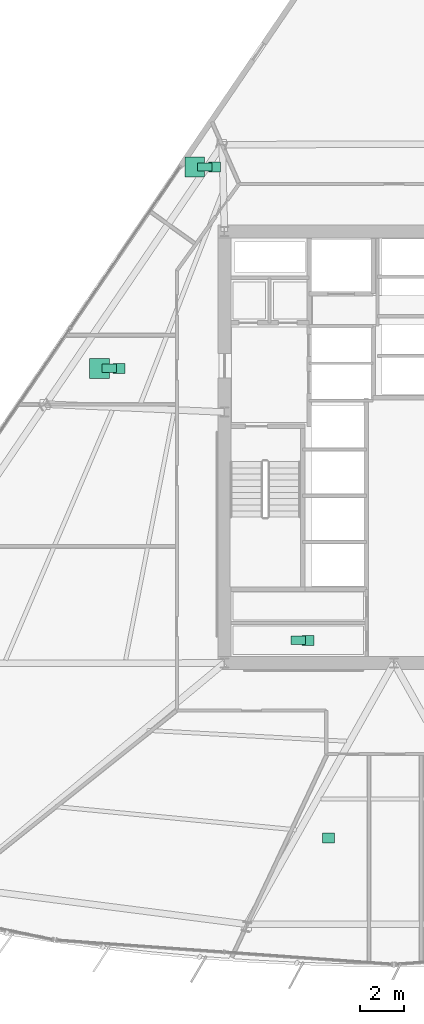
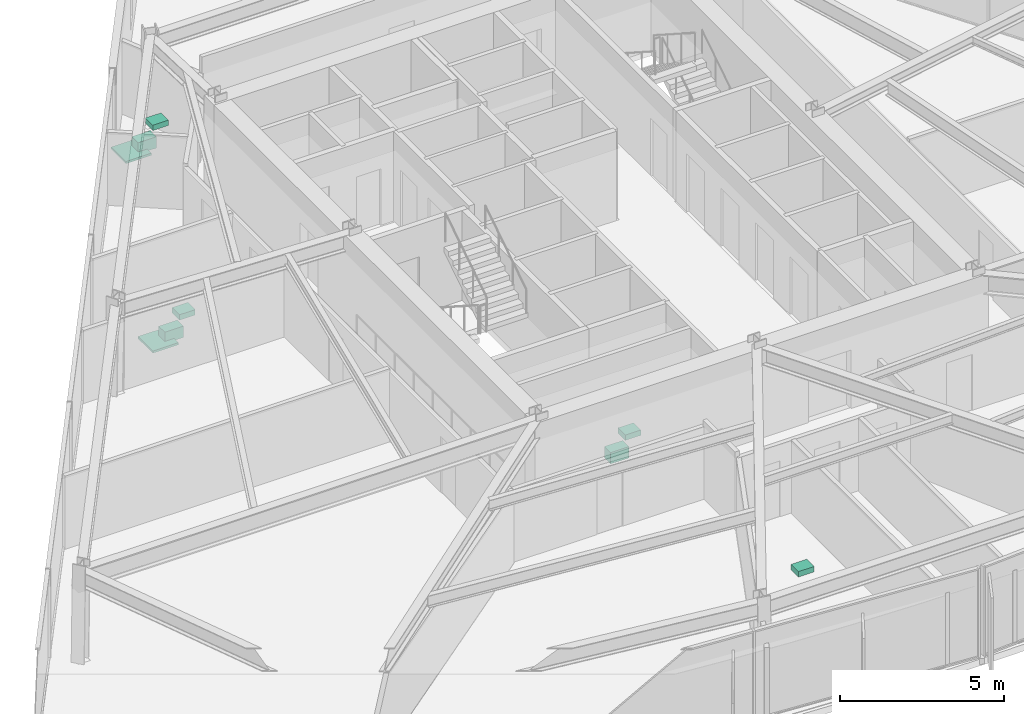
# One storey, part 18 of 18: 9 sanitary terminals.
"""IFC4 building model written with IfcOpenShell, lengths in metres."""

from ifc_helpers import new_model, si_unit, direction, frame, origin, origin_2d, place, context, subcontext, project, spatial, rectangle, extrude, material, type_object, element, save


model = new_model("IFC4")

# Units and contexts
model_context = context("Model", 3, precision=1e-05, world=origin(), true_north=direction((0.0, 1.0)))
body_context = subcontext(model_context, "Body", "Model", "MODEL_VIEW")
ifc_project = project(units=[si_unit("LENGTHUNIT", "METRE"), si_unit("AREAUNIT", "SQUARE_METRE"), si_unit("VOLUMEUNIT", "CUBIC_METRE"), si_unit("PLANEANGLEUNIT", "RADIAN"), si_unit("MASSUNIT", "GRAM", prefix="KILO")], contexts=[model_context])

# Site, building, storey
site_placement = place(None, origin())
site = spatial("IfcSite", under=ifc_project, at=site_placement, CompositionType="ELEMENT")
building_placement = place(site_placement, origin())
building = spatial("IfcBuilding", under=site, at=building_placement, Name="Savorim Split Tower", CompositionType="ELEMENT")
storey_placement = place(building_placement, frame((0.0, 0.0, 44.39990234375)))
storey = spatial("IfcBuildingStorey", under=building, at=storey_placement, Name="L11", CompositionType="ELEMENT", Elevation=44.39990234375)

# Sanitary terminals
ifc_material = material(Name="Vitreous China Sanitaryware")
sanitary_terminal_type_1 = type_object("IfcSanitaryTerminalType", Name="SAN-SHW-900", PredefinedType="SHOWER", material=ifc_material)
for number, where, z_axis, x_axis, name in (
    (1, (-9.048828125, 13.131103515625, 0.0), (0.0, 0.0, 1.0), (1.0, 0.0, 0.0), "L11 Shared Bathroom Shower"),
    (2, (-13.383056640625, 3.985595703125, 0.0), (0.0, 0.0, 1.0), (1.0, 0.0, 0.0), "L11 Shared Bathroom Shower"),
):
    element("IfcSanitaryTerminal", number, at=place(storey_placement, frame(where, z_axis=z_axis, x_axis=x_axis)), inside=storey, type_object=sanitary_terminal_type_1, Name=name, PredefinedType="SHOWER", context=body_context, shape_type="SweptSolid", body=[
        extrude(rectangle(XDim=0.89990234375, YDim=0.89990234375, at=origin_2d()), origin(), (0.0, 0.0, 1.0), 0.080078125),
    ])
sanitary_terminal_type_2 = type_object("IfcSanitaryTerminalType", Name="SAN-WC-PAN", PredefinedType="TOILETPAN", material=ifc_material)
for number, where, z_axis, x_axis, name in (
    (3, (-4.35009765625, -8.3701171875, 0.000244140625), (0.0, 0.0, 1.0), (1.0, 0.0, 0.0), "L11 Public WC WC Pan"),
    (4, (-8.598876953125, 13.131103515625, 0.000244140625), (0.0, 0.0, 1.0), (1.0, 0.0, 0.0), "L11 Shared Bathroom WC Pan"),
    (5, (-12.93310546875, 3.985595703125, 0.000244140625), (0.0, 0.0, 1.0), (1.0, 0.0, 0.0), "L11 Shared Bathroom WC Pan"),
):
    element("IfcSanitaryTerminal", number, at=place(storey_placement, frame(where, z_axis=z_axis, x_axis=x_axis)), inside=storey, type_object=sanitary_terminal_type_2, Name=name, PredefinedType="TOILETPAN", context=body_context, shape_type="SweptSolid", body=[
        extrude(rectangle(XDim=0.64990234375, YDim=0.3798828125, at=origin_2d()), origin(), (0.0, 0.0, 1.0), 0.419921875),
    ])
sanitary_terminal_type_3 = type_object("IfcSanitaryTerminalType", Name="SAN-WHB-550", PredefinedType="WASHHANDBASIN", material=ifc_material)
for number, where, z_axis, x_axis, name in (
    (6, (-3.89990234375, -8.3701171875, 0.72021484375), (0.0, 0.0, 1.0), (1.0, 0.0, 0.0), "L11 Public WC Washhand Basin"),
    (7, (-2.974609375, -17.34423828125, 0.75), (0.0, 0.0, 1.0), (1.0, 0.0, 0.0), "L11 Shared Kitchen Utility Sink"),
    (8, (-8.148681640625, 13.131103515625, 0.72021484375), (0.0, 0.0, 1.0), (1.0, 0.0, 0.0), "L11 Shared Bathroom Washhand Basin"),
    (9, (-12.483154296875, 3.985595703125, 0.72021484375), (0.0, 0.0, 1.0), (1.0, 0.0, 0.0), "L11 Shared Bathroom Washhand Basin"),
):
    element("IfcSanitaryTerminal", number, at=place(storey_placement, frame(where, z_axis=z_axis, x_axis=x_axis)), inside=storey, type_object=sanitary_terminal_type_3, Name=name, PredefinedType="WASHHANDBASIN", context=body_context, shape_type="SweptSolid", body=[
        extrude(rectangle(XDim=0.550048828125, YDim=0.449951171875, at=origin_2d()), origin(), (0.0, 0.0, 1.0), 0.199951171875),
    ])

save(model, "model.ifc")
